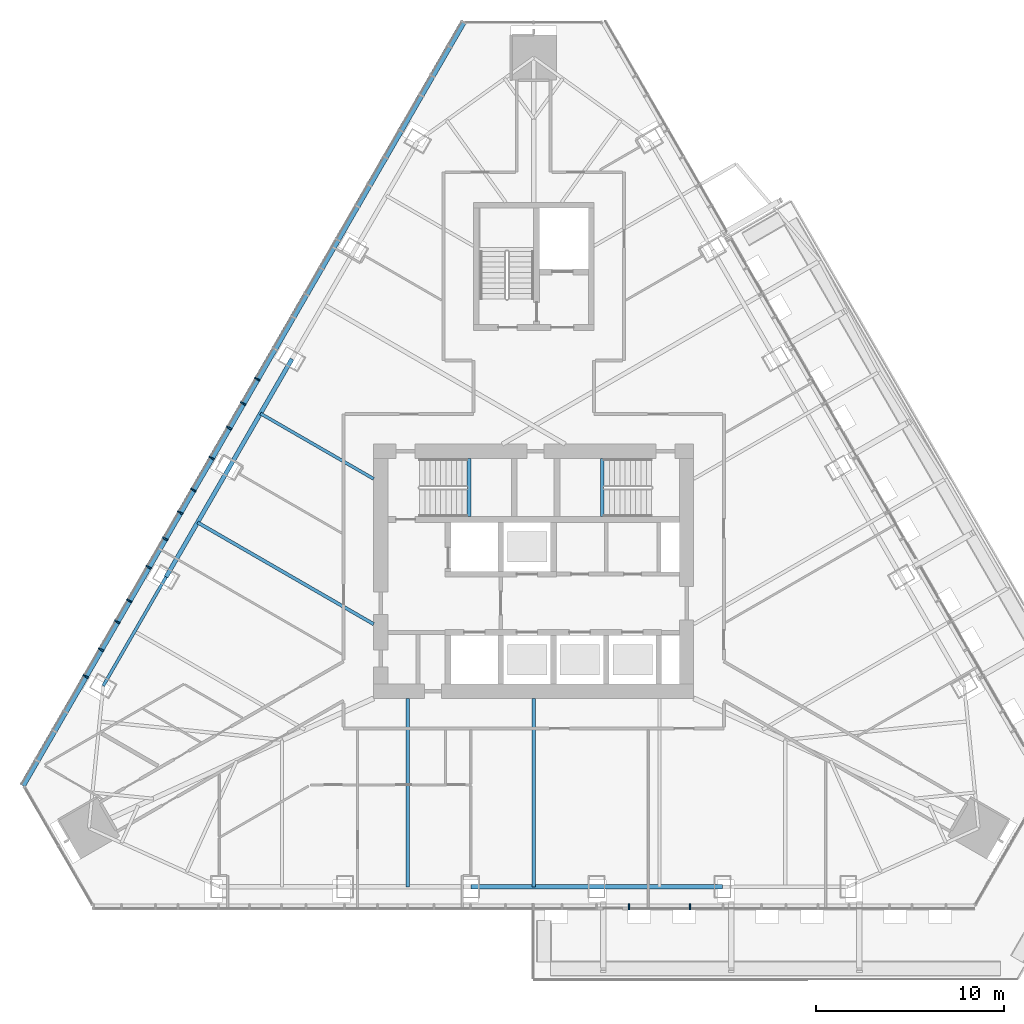
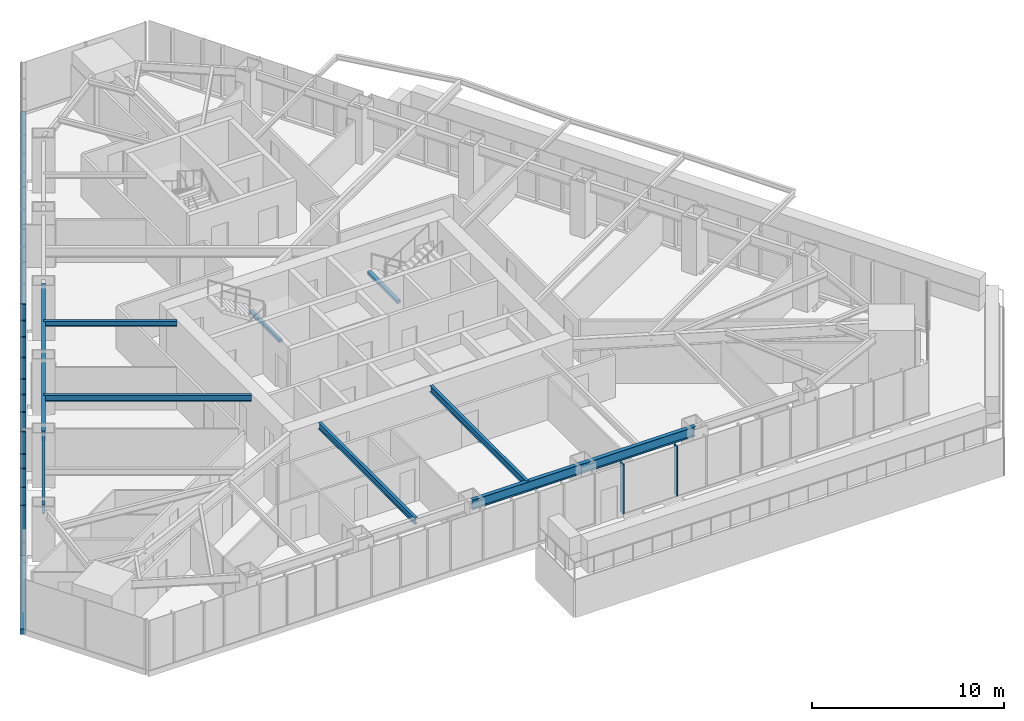
# One storey, part 3 of 17: 15 members, 9 beams, 2 elements without a shape of their own.
"""IFC4 building model written with IfcOpenShell, lengths in metres."""

from ifc_helpers import new_model, si_unit, direction, frame, origin, origin_2d, place, context, subcontext, project, spatial, rectangle, i_section, extrude, material, layer, layer_set, material_profile, profile_set, type_object, element, aggregate, save


model = new_model("IFC4")

# Units and contexts
model_context = context("Model", 3, precision=1e-05, world=origin(), true_north=direction((0.0, 1.0)))
body_context = subcontext(model_context, "Body", "Model", "MODEL_VIEW")
ifc_project = project(units=[si_unit("LENGTHUNIT", "METRE"), si_unit("AREAUNIT", "SQUARE_METRE"), si_unit("VOLUMEUNIT", "CUBIC_METRE"), si_unit("PLANEANGLEUNIT", "RADIAN"), si_unit("MASSUNIT", "GRAM", prefix="KILO")], contexts=[model_context])

# Site, building, storey
site_placement = place(None, origin())
site = spatial("IfcSite", under=ifc_project, at=site_placement, CompositionType="ELEMENT")
building_placement = place(site_placement, origin())
building = spatial("IfcBuilding", under=site, at=building_placement, Name="Firuza Gate Tower and Library", CompositionType="ELEMENT")
storey_placement = place(building_placement, frame((0.0, 0.0, 263.60009765625)))
storey = spatial("IfcBuildingStorey", under=building, at=storey_placement, Name="L62", CompositionType="ELEMENT", Elevation=263.60009765625)

# Curtain wall, members
ifc_material_1 = material(Name="Aluminium 6063-T6", Category="aluminium")
ifc_layer = layer(ifc_material_1, 0.14990234375)
ifc_layer_set = layer_set([ifc_layer], Name="Unitised curtain wall, residences")
curtain_wall_type = type_object("IfcCurtainWallType", Name="Unitised curtain wall, residences", PredefinedType="NOTDEFINED", material=ifc_layer_set)
placement = place(storey_placement, origin())
curtain_wall_1 = element("IfcCurtainWall", 1, at=placement, inside=storey, type_object=curtain_wall_type, Name="CW3 L62 S face", PredefinedType="NOTDEFINED")
ifc_material_2 = material(Name="Aluminium 6063-T6", Category="aluminium")
ifc_material_profile_1 = material_profile(ifc_material_2, rectangle(XDim=0.320068359375, YDim=0.080078125, at=origin_2d()))
ifc_profile_set_1 = profile_set([ifc_material_profile_1], Name="Aluminium 6063-T6")
member_type_1 = type_object("IfcMemberType", Name="Curtain wall mullion 80x320", PredefinedType="MULLION", material=ifc_profile_set_1)
member_1_placement = place(storey_placement, frame((80.067626953125, 57.17919921875, 0.14990234375), z_axis=(0.0, 0.0, 1.0), x_axis=(0.0, 1.0, 0.0)))
member_1 = element("IfcMember", 2, at=member_1_placement, type_object=member_type_1, Name="Mullion", PredefinedType="MULLION", context=body_context, shape_type="SweptSolid", body=[
    extrude(rectangle(XDim=0.320068359375, YDim=0.080078125, at=origin_2d()), origin(), (0.0, 0.0, 1.0), 3.14990234375),
])
member_2_placement = place(storey_placement, frame((83.298095703125, 57.17919921875, 0.14990234375), z_axis=(0.0, 0.0, 1.0), x_axis=(0.0, 1.0, 0.0)))
member_2 = element("IfcMember", 3, at=member_2_placement, type_object=member_type_1, Name="Mullion", PredefinedType="MULLION", context=body_context, shape_type="SweptSolid", body=[
    extrude(rectangle(XDim=0.320068359375, YDim=0.080078125, at=origin_2d()), origin(), (0.0, 0.0, 1.0), 3.14990234375),
])
aggregate(curtain_wall_1, [member_1, member_2])

curtain_wall_2 = element("IfcCurtainWall", 4, at=placement, inside=storey, type_object=curtain_wall_type, Name="CW3 L62 W face", PredefinedType="NOTDEFINED")
member_3_placement = place(storey_placement, frame((59.566650390625, 83.910400390625, 0.14990234375), z_axis=(0.0, 0.0, 1.0), x_axis=(0.866025403784, -0.5, 0.0)))
member_3 = element("IfcMember", 5, at=member_3_placement, type_object=member_type_1, Name="Mullion", PredefinedType="MULLION", context=body_context, shape_type="SweptSolid", body=[
    extrude(rectangle(XDim=0.320068359375, YDim=0.080078125, at=origin_2d()), origin(), (0.0, 0.0, 1.0), 3.14990234375),
])
member_4_placement = place(storey_placement, frame((57.89306640625, 81.01123046875, 0.14990234375), z_axis=(0.0, 0.0, 1.0), x_axis=(0.866025403784, -0.5, 0.0)))
member_4 = element("IfcMember", 6, at=member_4_placement, type_object=member_type_1, Name="Mullion", PredefinedType="MULLION", context=body_context, shape_type="SweptSolid", body=[
    extrude(rectangle(XDim=0.320068359375, YDim=0.080078125, at=origin_2d()), origin(), (0.0, 0.0, 1.0), 3.14990234375),
])
member_5_placement = place(storey_placement, frame((56.21923828125, 78.1123046875, 0.14990234375), z_axis=(0.0, 0.0, 1.0), x_axis=(0.866025403784, -0.5, 0.0)))
member_5 = element("IfcMember", 7, at=member_5_placement, type_object=member_type_1, Name="Mullion", PredefinedType="MULLION", context=body_context, shape_type="SweptSolid", body=[
    extrude(rectangle(XDim=0.320068359375, YDim=0.080078125, at=origin_2d()), origin(), (0.0, 0.0, 1.0), 3.14990234375),
])
member_6_placement = place(storey_placement, frame((54.54541015625, 75.21337890625, 0.14990234375), z_axis=(0.0, 0.0, 1.0), x_axis=(0.866025403784, -0.5, 0.0)))
member_6 = element("IfcMember", 8, at=member_6_placement, type_object=member_type_1, Name="Mullion", PredefinedType="MULLION", context=body_context, shape_type="SweptSolid", body=[
    extrude(rectangle(XDim=0.320068359375, YDim=0.080078125, at=origin_2d()), origin(), (0.0, 0.0, 1.0), 3.14990234375),
])
member_7_placement = place(storey_placement, frame((52.871826171875, 72.314208984375, 0.14990234375), z_axis=(0.0, 0.0, 1.0), x_axis=(0.866025403784, -0.5, 0.0)))
member_7 = element("IfcMember", 9, at=member_7_placement, type_object=member_type_1, Name="Mullion", PredefinedType="MULLION", context=body_context, shape_type="SweptSolid", body=[
    extrude(rectangle(XDim=0.320068359375, YDim=0.080078125, at=origin_2d()), origin(), (0.0, 0.0, 1.0), 3.14990234375),
])
member_8_placement = place(storey_placement, frame((51.197998046875, 69.415283203125, 0.14990234375), z_axis=(0.0, 0.0, 1.0), x_axis=(0.866025403784, -0.5, 0.0)))
member_8 = element("IfcMember", 10, at=member_8_placement, type_object=member_type_1, Name="Mullion", PredefinedType="MULLION", context=body_context, shape_type="SweptSolid", body=[
    extrude(rectangle(XDim=0.320068359375, YDim=0.080078125, at=origin_2d()), origin(), (0.0, 0.0, 1.0), 3.14990234375),
])
member_9_placement = place(storey_placement, frame((60.31591796875, 85.207763671875, 0.14990234375), z_axis=(0.0, 0.0, 1.0), x_axis=(0.866025403784, -0.5, 0.0)))
member_9 = element("IfcMember", 11, at=member_9_placement, type_object=member_type_1, Name="Mullion", PredefinedType="MULLION", context=body_context, shape_type="SweptSolid", body=[
    extrude(rectangle(XDim=0.320068359375, YDim=0.080078125, at=origin_2d()), origin(), (0.0, 0.0, 1.0), 3.14990234375),
])
member_10_placement = place(storey_placement, frame((58.817626953125, 82.613037109375, 0.14990234375), z_axis=(0.0, 0.0, 1.0), x_axis=(0.866025403784, -0.5, 0.0)))
member_10 = element("IfcMember", 12, at=member_10_placement, type_object=member_type_1, Name="Mullion", PredefinedType="MULLION", context=body_context, shape_type="SweptSolid", body=[
    extrude(rectangle(XDim=0.320068359375, YDim=0.080078125, at=origin_2d()), origin(), (0.0, 0.0, 1.0), 3.14990234375),
])
member_11_placement = place(storey_placement, frame((56.915771484375, 79.31884765625, 0.14990234375), z_axis=(0.0, 0.0, 1.0), x_axis=(0.866025403784, -0.5, 0.0)))
member_11 = element("IfcMember", 13, at=member_11_placement, type_object=member_type_1, Name="Mullion", PredefinedType="MULLION", context=body_context, shape_type="SweptSolid", body=[
    extrude(rectangle(XDim=0.320068359375, YDim=0.080078125, at=origin_2d()), origin(), (0.0, 0.0, 1.0), 3.14990234375),
])
member_12_placement = place(storey_placement, frame((55.417724609375, 76.723876953125, 0.14990234375), z_axis=(0.0, 0.0, 1.0), x_axis=(0.866025403784, -0.5, 0.0)))
member_12 = element("IfcMember", 14, at=member_12_placement, type_object=member_type_1, Name="Mullion", PredefinedType="MULLION", context=body_context, shape_type="SweptSolid", body=[
    extrude(rectangle(XDim=0.320068359375, YDim=0.080078125, at=origin_2d()), origin(), (0.0, 0.0, 1.0), 3.14990234375),
])
member_13_placement = place(storey_placement, frame((53.515869140625, 73.429931640625, 0.14990234375), z_axis=(0.0, 0.0, 1.0), x_axis=(0.866025403784, -0.5, 0.0)))
member_13 = element("IfcMember", 15, at=member_13_placement, type_object=member_type_1, Name="Mullion", PredefinedType="MULLION", context=body_context, shape_type="SweptSolid", body=[
    extrude(rectangle(XDim=0.320068359375, YDim=0.080078125, at=origin_2d()), origin(), (0.0, 0.0, 1.0), 3.14990234375),
])
member_14_placement = place(storey_placement, frame((52.017578125, 70.8349609375, 0.14990234375), z_axis=(0.0, 0.0, 1.0), x_axis=(0.866025403784, -0.5, 0.0)))
member_14 = element("IfcMember", 16, at=member_14_placement, type_object=member_type_1, Name="Mullion", PredefinedType="MULLION", context=body_context, shape_type="SweptSolid", body=[
    extrude(rectangle(XDim=0.320068359375, YDim=0.080078125, at=origin_2d()), origin(), (0.0, 0.0, 1.0), 3.14990234375),
])
ifc_material_3 = material(Name="Aluminium 6063-T6", Category="aluminium")
ifc_material_profile_2 = material_profile(ifc_material_3, rectangle(XDim=0.320068359375, YDim=0.35009765625, at=origin_2d()))
ifc_profile_set_2 = profile_set([ifc_material_profile_2], Name="Aluminium 6063-T6")
member_type_2 = type_object("IfcMemberType", Name="Curtain wall transom 350x320", PredefinedType="USERDEFINED", material=ifc_profile_set_2)
member_15_placement = place(storey_placement, frame((71.283203125, 104.20361328125, -0.025146484375), z_axis=(-0.500004440558, -0.866022840012, 0.0), x_axis=(0.866022840012, -0.500004440558, 0.0)))
member_15 = element("IfcMember", 17, at=member_15_placement, type_object=member_type_2, Name="Transom", ObjectType="TRANSOM", PredefinedType="USERDEFINED", context=body_context, shape_type="SweptSolid", body=[
    extrude(rectangle(XDim=0.320068359375, YDim=0.35009765625, at=origin_2d()), origin(), (0.0, 0.0, 1.0), 46.865234375),
])
aggregate(curtain_wall_2, [member_3, member_4, member_5, member_6, member_7, member_8, member_15, member_9, member_10, member_11, member_12, member_13, member_14])

# Beams
ifc_material_4 = material(Name="Concrete C35/45", Category="concrete")
ifc_material_profile_3 = material_profile(ifc_material_4, rectangle(XDim=0.199951171875, YDim=0.199951171875, at=origin_2d()))
ifc_profile_set_3 = profile_set([ifc_material_profile_3], Name="Concrete C35/45")
beam_type_1 = type_object("IfcBeamType", Name="Stair landing bearer 200x200", PredefinedType="BEAM", material=ifc_profile_set_3)
for number, where, z_axis, x_axis, name in (
    (18, (71.56005859375, 77.89990234375, 1.449951171875), (0.0, 1.0, 0.0), (-1.0, 0.0, 0.0), "Landing bearer L62 stair 1"),
    (19, (78.639892578125, 81.0, 1.449951171875), (0.0, -1.0, 0.0), (1.0, 0.0, 0.0), "Landing bearer L62 stair 2"),
):
    element("IfcBeam", number, at=place(storey_placement, frame(where, z_axis=z_axis, x_axis=x_axis)), inside=storey, type_object=beam_type_1, Name=name, PredefinedType="BEAM", context=body_context, shape_type="SweptSolid", body=[
        extrude(rectangle(XDim=0.199951171875, YDim=0.199951171875, at=origin_2d()), origin(), (0.0, 0.0, 1.0), 3.10009765625),
    ])
ifc_material_5 = material(Name="Steel S355", Category="steel")
ifc_material_profile_4 = material_profile(ifc_material_5, i_section(OverallWidth=0.1650390625, OverallDepth=0.31005859375, WebThickness=0.005859375, FlangeThickness=0.009765625, at=origin_2d()))
ifc_profile_set_4 = profile_set([ifc_material_profile_4], Name="Steel S355")
beam_type_2 = type_object("IfcBeamType", Name="W310x39 Floor beam", PredefinedType="JOIST", material=ifc_profile_set_4)
beam_1_placement = place(storey_placement, frame((60.48486328125, 83.38037109375, 3.14501953125), z_axis=(0.86602168897, -0.500006434191, 0.0), x_axis=(0.500006434191, 0.86602168897, 0.0)))
element("IfcBeam", 20, at=beam_1_placement, inside=storey, type_object=beam_type_2, Name="Floor beam L62 s82", PredefinedType="JOIST", context=body_context, shape_type="SweptSolid", body=[
    extrude(i_section(OverallWidth=0.1650390625, OverallDepth=0.31005859375, WebThickness=0.005859375, FlangeThickness=0.009765625, at=origin_2d()), origin(), (0.0, 0.0, 1.0), 6.94580078125),
])
ifc_material_6 = material(Name="Steel S355", Category="steel")
ifc_material_profile_5 = material_profile(ifc_material_6, i_section(OverallWidth=0.177978515625, OverallDepth=0.406982421875, WebThickness=0.0078125, FlangeThickness=0.0126953125, at=origin_2d()))
ifc_profile_set_5 = profile_set([ifc_material_profile_5], Name="Steel S355")
beam_type_3 = type_object("IfcBeamType", Name="W410x60 Floor beam", PredefinedType="JOIST", material=ifc_profile_set_5)
for number, where, z_axis, x_axis, name in (
    (21, (68.3173828125, 58.2392578125, 3.096435546875), (0.0, 1.0, 0.0), (-1.0, 0.0, 0.0), "Floor beam L62 s21"),
    (22, (75.0, 58.2392578125, 3.096435546875), (0.0, 1.0, 0.0), (-1.0, 0.0, 0.0), "Floor beam L62 s22"),
):
    element("IfcBeam", number, at=place(storey_placement, frame(where, z_axis=z_axis, x_axis=x_axis)), inside=storey, type_object=beam_type_3, Name=name, PredefinedType="JOIST", context=body_context, shape_type="SweptSolid", body=[
        extrude(i_section(OverallWidth=0.177978515625, OverallDepth=0.406982421875, WebThickness=0.0078125, FlangeThickness=0.0126953125, at=origin_2d()), origin(), (0.0, 0.0, 1.0), 10.0107421875),
    ])
beam_2_placement = place(storey_placement, frame((57.143310546875, 77.593017578125, 3.096435546875), z_axis=(0.866024905415, -0.5000008632, 0.0), x_axis=(0.5000008632, 0.866024905415, 0.0)))
element("IfcBeam", 23, at=beam_2_placement, inside=storey, type_object=beam_type_3, Name="Floor beam L62 s83", PredefinedType="JOIST", context=body_context, shape_type="SweptSolid", body=[
    extrude(i_section(OverallWidth=0.177978515625, OverallDepth=0.406982421875, WebThickness=0.0078125, FlangeThickness=0.0126953125, at=origin_2d()), origin(), (0.0, 0.0, 1.0), 10.80419921875),
])
ifc_material_7 = material(Name="Steel S355", Category="steel")
ifc_material_profile_6 = material_profile(ifc_material_7, i_section(OverallWidth=0.166015625, OverallDepth=0.534912109375, WebThickness=0.01025390625, FlangeThickness=0.0166015625, at=origin_2d()))
ifc_profile_set_6 = profile_set([ifc_material_profile_6], Name="Steel S355")
beam_type_4 = type_object("IfcBeamType", Name="W530x85 Edge beam", PredefinedType="SPANDREL", material=ifc_profile_set_6)
beam_3_placement = place(storey_placement, frame((55.47265625, 74.699462890625, 3.032470703125), z_axis=(-0.499981766188, -0.866035930824, 0.0), x_axis=(0.866035930824, -0.499981766188, 0.0)))
element("IfcBeam", 24, at=beam_3_placement, inside=storey, type_object=beam_type_4, Name="Edge beam L62 e84", PredefinedType="SPANDREL", context=body_context, shape_type="SweptSolid", body=[
    extrude(i_section(OverallWidth=0.166015625, OverallDepth=0.534912109375, WebThickness=0.01025390625, FlangeThickness=0.0166015625, at=origin_2d()), origin(), (0.0, 0.0, 1.0), 6.682861328125),
])
ifc_material_8 = material(Name="Steel S355", Category="steel")
ifc_material_profile_7 = material_profile(ifc_material_8, i_section(OverallWidth=0.22900390625, OverallDepth=0.612060546875, WebThickness=0.011962890625, FlangeThickness=0.01953125, at=origin_2d()))
ifc_profile_set_7 = profile_set([ifc_material_profile_7], Name="Steel S355")
beam_type_5 = type_object("IfcBeamType", Name="W610x125 Edge beam", PredefinedType="SPANDREL", material=ifc_profile_set_7)
beam_4_placement = place(storey_placement, frame((71.65869140625, 58.2392578125, 2.993896484375), z_axis=(1.0, 0.0, 0.0), x_axis=(0.0, 1.0, 0.0)))
element("IfcBeam", 25, at=beam_4_placement, inside=storey, type_object=beam_type_5, Name="Edge beam L62 e22", PredefinedType="SPANDREL", context=body_context, shape_type="SweptSolid", body=[
    extrude(i_section(OverallWidth=0.22900390625, OverallDepth=0.612060546875, WebThickness=0.011962890625, FlangeThickness=0.01953125, at=origin_2d()), origin(), (0.0, 0.0, 1.0), 13.365234375),
])
beam_5_placement = place(storey_placement, frame((62.155517578125, 86.274169921875, 2.993896484375), z_axis=(-0.500011285115, -0.866018888222, 0.0), x_axis=(0.866018888222, -0.500011285115, 0.0)))
element("IfcBeam", 26, at=beam_5_placement, inside=storey, type_object=beam_type_5, Name="Edge beam L62 e82", PredefinedType="SPANDREL", context=body_context, shape_type="SweptSolid", body=[
    extrude(i_section(OverallWidth=0.22900390625, OverallDepth=0.612060546875, WebThickness=0.011962890625, FlangeThickness=0.01953125, at=origin_2d()), origin(), (0.0, 0.0, 1.0), 13.365478515625),
])

save(model, "model.ifc")
